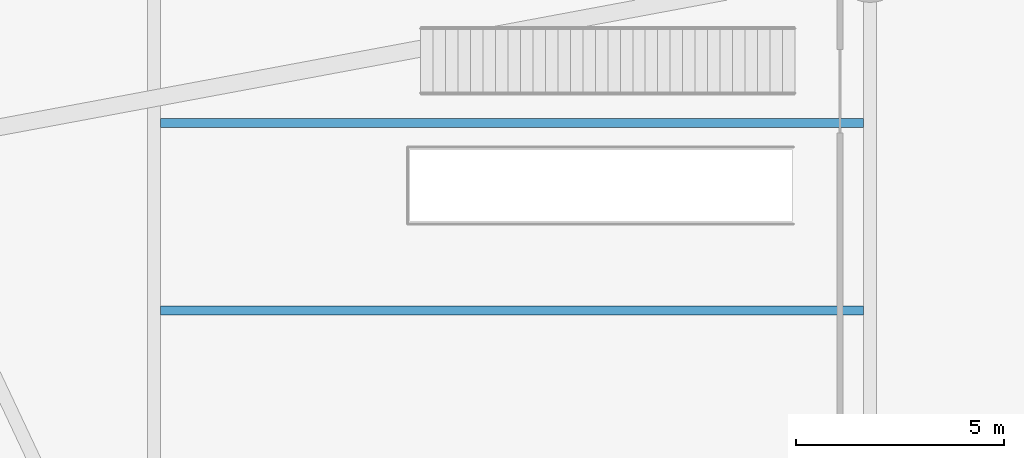
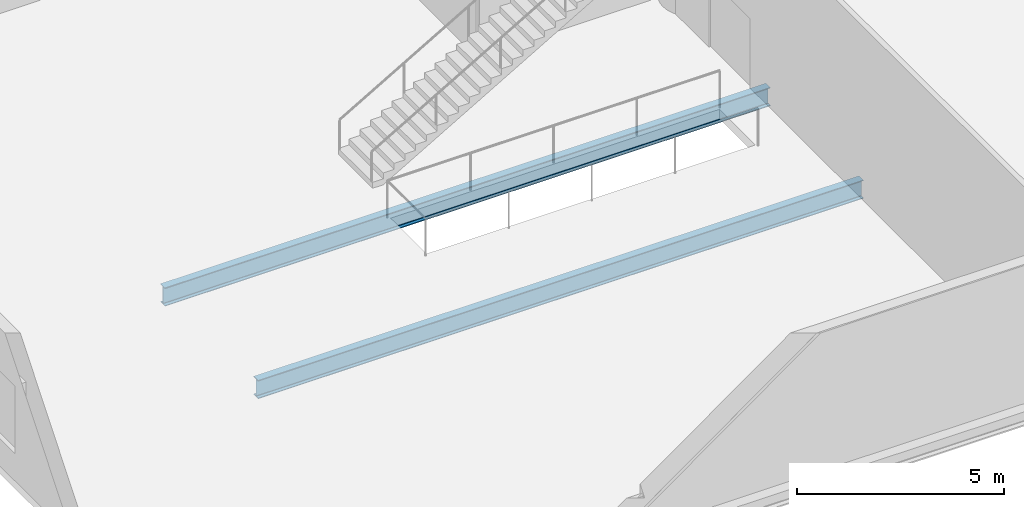
# One storey, part 3 of 40: 2 beams.
"""IFC4 building model written with IfcOpenShell, lengths in metres."""

from ifc_helpers import new_model, si_unit, direction, frame, origin, origin_2d, place, context, subcontext, project, spatial, i_section, extrude, material, material_profile, profile_set, type_object, element, save


model = new_model("IFC4")

# Units and contexts
model_context = context("Model", 3, precision=1e-05, world=origin(), true_north=direction((0.0, 1.0)))
body_context = subcontext(model_context, "Body", "Model", "MODEL_VIEW")
ifc_project = project(units=[si_unit("LENGTHUNIT", "METRE"), si_unit("AREAUNIT", "SQUARE_METRE"), si_unit("VOLUMEUNIT", "CUBIC_METRE"), si_unit("PLANEANGLEUNIT", "RADIAN"), si_unit("MASSUNIT", "GRAM", prefix="KILO")], contexts=[model_context])

# Site, building, storey
site_placement = place(None, origin())
site = spatial("IfcSite", under=ifc_project, at=site_placement, CompositionType="ELEMENT")
building_placement = place(site_placement, origin())
building = spatial("IfcBuilding", under=site, at=building_placement, Name="Varnelok Gate Tower", CompositionType="ELEMENT")
storey_placement = place(building_placement, frame((0.0, 0.0, 5.39990234375)))
storey = spatial("IfcBuildingStorey", under=building, at=storey_placement, Name="L01", CompositionType="ELEMENT", Elevation=5.39990234375)

# Beams
ifc_material = material(Name="Structural Steel ASTM A992 Grade 50", Category="steel")
ifc_material_profile = material_profile(ifc_material, i_section(OverallWidth=0.2119140625, OverallDepth=0.5439453125, WebThickness=0.01318359375, FlangeThickness=0.021240234375, FilletRadius=0.01611328125, at=origin_2d()), Name="W21X83")
ifc_profile_set = profile_set([ifc_material_profile], Name="Structural Steel ASTM A992 Grade 50")
beam_type = type_object("IfcBeamType", Name="BM-JST-W21X83", PredefinedType="JOIST", material=ifc_profile_set)
for number, where, z_axis, x_axis, name in (
    (1, (7.360107421875, 10.5, -0.552001953125), (1.0, 0.0, 0.0), (0.0, 1.0, 0.0), "L01 Podium Floor Joist"),
    (2, (7.360107421875, 15.0, -0.552001953125), (1.0, 0.0, 0.0), (0.0, 1.0, 0.0), "L01 Podium Floor Joist"),
):
    element("IfcBeam", number, at=place(storey_placement, frame(where, z_axis=z_axis, x_axis=x_axis)), inside=storey, type_object=beam_type, Name=name, PredefinedType="JOIST", context=body_context, shape_type="SweptSolid", body=[
        extrude(i_section(OverallWidth=0.2119140625, OverallDepth=0.5439453125, WebThickness=0.01318359375, FlangeThickness=0.021240234375, FilletRadius=0.01611328125, at=origin_2d()), origin(), (0.0, 0.0, 1.0), 16.8798828125),
    ])

save(model, "model.ifc")
